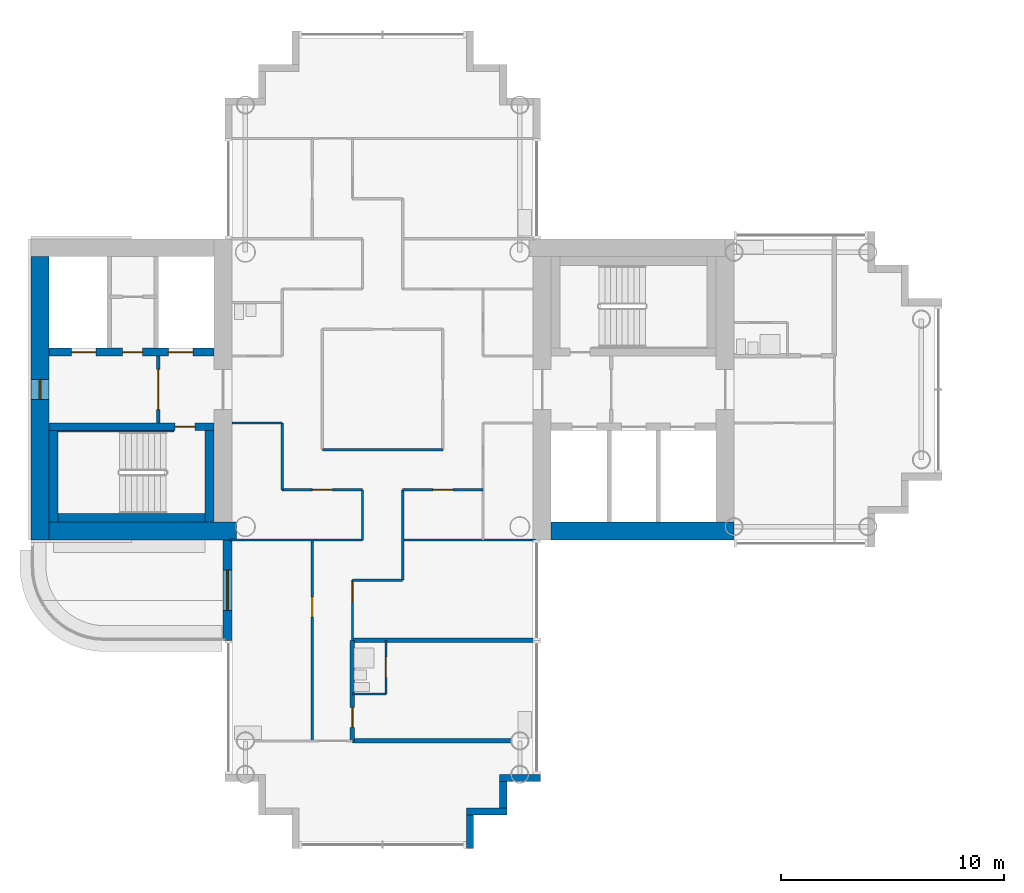
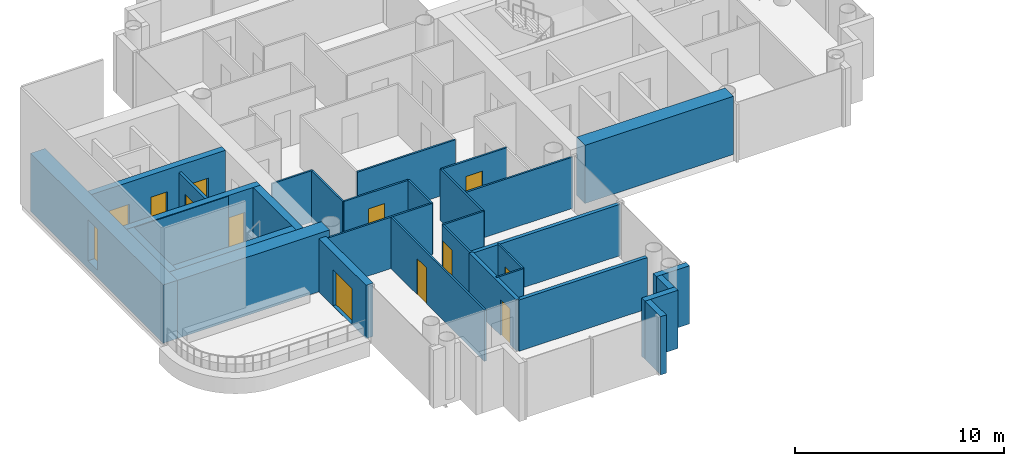
# One storey, part 7 of 20: 32 walls, 12 doors, 1 window, 13 openings.
"""IFC4 building model written with IfcOpenShell, lengths in metres."""

from ifc_helpers import new_model, si_unit, direction, frame, frame_2d, origin, place, context, subcontext, project, spatial, rectangle, extrude, material, layer, layer_set, type_object, element, fill, save


model = new_model("IFC4")

# Units and contexts
model_context = context("Model", 3, precision=1e-05, world=origin(), true_north=direction((0.0, 1.0)))
body_context = subcontext(model_context, "Body", "Model", "MODEL_VIEW")
ifc_project = project(units=[si_unit("LENGTHUNIT", "METRE"), si_unit("AREAUNIT", "SQUARE_METRE"), si_unit("VOLUMEUNIT", "CUBIC_METRE"), si_unit("PLANEANGLEUNIT", "RADIAN"), si_unit("MASSUNIT", "GRAM", prefix="KILO")], contexts=[model_context])

# Site, building, storey
site_placement = place(None, origin())
site = spatial("IfcSite", under=ifc_project, at=site_placement, CompositionType="ELEMENT")
building_placement = place(site_placement, origin())
building = spatial("IfcBuilding", under=site, at=building_placement, Name="Ipe Terrace Towers", CompositionType="ELEMENT")
storey_placement = place(building_placement, frame((0.0, 0.0, 160.89990234375)))
storey = spatial("IfcBuildingStorey", under=building, at=storey_placement, Name="L44", CompositionType="ELEMENT", Elevation=160.89990234375)

# Wall, opening, door
ifc_material_1 = material(Name="Concrete C40/50 with buff precast cladding", Category="concrete")
ifc_layer_1 = layer(ifc_material_1, 0.39990234375)
ifc_layer_set_1 = layer_set([ifc_layer_1], Name="BALCONY BAY WALL 400")
wall_type_1 = type_object("IfcWallType", Name="BALCONY BAY WALL 400", PredefinedType="STANDARD", material=ifc_layer_set_1)
wall_1_placement = place(storey_placement, frame((-42.949951171875, -6.75, -0.02001953125), z_axis=(0.0, 0.0, 1.0), x_axis=(0.0, -1.0, 0.0)))
wall_1 = element("IfcWall", 1, at=wall_1_placement, inside=storey, type_object=wall_type_1, Name="T1-W-L44-02a wall", PredefinedType="STANDARD", context=body_context, shape_type="SweptSolid", body=[
    extrude(rectangle(XDim=4.5, YDim=0.39990234375, at=frame_2d((2.25, 0.0))), origin(), (0.0, 0.0, 1.0), 3.1201171875),
])
opening_1_placement = place(wall_1_placement, frame((1.35009765625, 0.0, 0.02001953125)))
opening_1 = element("IfcOpeningElement", 2, at=opening_1_placement, cuts=wall_1, Name="Opening T1-D-L44-02", PredefinedType="OPENING", context=body_context, shape_type="SweptSolid", body=[
    extrude(rectangle(XDim=1.800048828125, YDim=2.10009765625, at=frame_2d((0.89990234375, 1.050048828125))), frame((0.0, 0.2099609375, 0.0), z_axis=(0.0, -1.0, 0.0), x_axis=(1.0, 0.0, 0.0)), (0.0, 0.0, 1.0), 0.419921875),
])
ifc_material_2 = material(Name="Aluminium alloy 6063-T6 framed glazed door", Category="aluminium")
door_type_1 = type_object("IfcDoorType", Name="BALCONY DOOR 1800 x 2100 LEFT", OperationType="SINGLE_SWING_LEFT", PredefinedType="DOOR", material=ifc_material_2)
door_1_placement = place(opening_1_placement, origin())
door_1 = element("IfcDoor", 3, at=door_1_placement, inside=storey, type_object=door_type_1, Name="DB1 door", OperationType="SINGLE_SWING_LEFT", OverallHeight=2.10009765625, OverallWidth=1.800048828125, PredefinedType="DOOR", context=body_context, shape_type="SweptSolid", body=[
    extrude(rectangle(XDim=1.800048828125, YDim=2.10009765625, at=frame_2d((0.89990234375, 1.050048828125))), frame((0.0, 0.02490234375, 0.0), z_axis=(0.0, -1.0, 0.0), x_axis=(1.0, 0.0, 0.0)), (0.0, 0.0, 1.0), 0.050048828125),
])
fill(opening_1, door_1)

# Walls
ifc_material_3 = material(Name="Concrete C40/50 with buff precast cladding", Category="concrete")
ifc_layer_2 = layer(ifc_material_3, 0.320068359375)
ifc_layer_set_2 = layer_set([ifc_layer_2], Name="BUFF CLADDING WALL 320")
wall_type_2 = type_object("IfcWallType", Name="BUFF CLADDING WALL 320", PredefinedType="STANDARD", material=ifc_layer_set_2)
wall_2_placement = place(storey_placement, frame((-32.090087890625, -20.570068359375, -0.2998046875), z_axis=(0.0, 0.0, 1.0), x_axis=(0.0, 1.0, 0.0)))
element("IfcWall", 4, at=wall_2_placement, inside=storey, type_object=wall_type_2, Name="T1-W-L44-09a wall", PredefinedType="STANDARD", context=body_context, shape_type="SweptSolid", body=[
    extrude(rectangle(XDim=1.5, YDim=0.320068359375, at=frame_2d((0.75, 0.0))), origin(), (0.0, 0.0, 1.0), 3.39990234375),
])
wall_3_placement = place(storey_placement, frame((-32.25, -18.909912109375, -0.2998046875), z_axis=(0.0, 0.0, 1.0), x_axis=(1.0, 0.0, 0.0)))
element("IfcWall", 5, at=wall_3_placement, inside=storey, type_object=wall_type_2, Name="T1-W-L44-10a wall", PredefinedType="STANDARD", context=body_context, shape_type="SweptSolid", body=[
    extrude(rectangle(XDim=1.820068359375, YDim=0.320068359375, at=frame_2d((0.91015625, 0.0))), origin(), (0.0, 0.0, 1.0), 3.39990234375),
])
wall_4_placement = place(storey_placement, frame((-30.590087890625, -18.75, -0.2998046875), z_axis=(0.0, 0.0, 1.0), x_axis=(0.0, 1.0, 0.0)))
element("IfcWall", 6, at=wall_4_placement, inside=storey, type_object=wall_type_2, Name="T1-W-L44-11a wall", PredefinedType="STANDARD", context=body_context, shape_type="SweptSolid", body=[
    extrude(rectangle(XDim=1.179931640625, YDim=0.320068359375, at=frame_2d((0.58984375, 0.0))), origin(), (0.0, 0.0, 1.0), 3.39990234375),
])
wall_5_placement = place(storey_placement, frame((-30.75, -17.409912109375, -0.2998046875), z_axis=(0.0, 0.0, 1.0), x_axis=(1.0, 0.0, 0.0)))
element("IfcWall", 7, at=wall_5_placement, inside=storey, type_object=wall_type_2, Name="T1-W-L44-12a wall", PredefinedType="STANDARD", context=body_context, shape_type="SweptSolid", body=[
    extrude(rectangle(XDim=1.820068359375, YDim=0.320068359375, at=frame_2d((0.91015625, 0.0))), origin(), (0.0, 0.0, 1.0), 3.39990234375),
])
ifc_material_4 = material(Name="Gypsum board partition", Category="plasterboard")
ifc_layer_3 = layer(ifc_material_4, 0.10009765625)
ifc_layer_set_3 = layer_set([ifc_layer_3], Name="Gypsum board partition 100 mm")
wall_type_3 = type_object("IfcWallType", Name="Gypsum board partition 100 mm", PredefinedType="PARTITIONING", material=ifc_layer_set_3)
wall_6_placement = place(storey_placement, frame((-40.5, -4.5, 0.0), z_axis=(0.0, 0.0, 1.0), x_axis=(0.0, 1.0, 0.0)))
element("IfcWall", 8, at=wall_6_placement, inside=storey, type_object=wall_type_3, Name="Gypsum board partition T1 L44 W01", PredefinedType="PARTITIONING", context=body_context, shape_type="SweptSolid", body=[
    extrude(rectangle(XDim=3.0, YDim=0.10009765625, at=frame_2d((1.5, 0.0))), origin(), (0.0, 0.0, 1.0), 3.0),
])

# Wall, opening, door
wall_7_placement = place(storey_placement, frame((-39.14990234375, -15.75, 0.0), z_axis=(0.0, 0.0, 1.0), x_axis=(0.0, 1.0, 0.0)))
wall_7 = element("IfcWall", 9, at=wall_7_placement, inside=storey, type_object=wall_type_3, Name="Gypsum board partition T1 L44 W03", PredefinedType="PARTITIONING", context=body_context, shape_type="SweptSolid", body=[
    extrude(rectangle(XDim=9.0, YDim=0.10009765625, at=frame_2d((4.5, 0.0))), origin(), (0.0, 0.0, 1.0), 3.0),
])
opening_2_placement = place(wall_7_placement, frame((5.550048828125, 0.0, 0.0)))
opening_2 = element("IfcOpeningElement", 10, at=opening_2_placement, cuts=wall_7, Name="Opening T1-Z3C-16", PredefinedType="OPENING", context=body_context, shape_type="SweptSolid", body=[
    extrude(rectangle(XDim=0.89990234375, YDim=2.10009765625, at=frame_2d((0.449951171875, 1.050048828125))), frame((0.0, 0.06005859375, 0.0), z_axis=(0.0, -1.0, 0.0), x_axis=(1.0, 0.0, 0.0)), (0.0, 0.0, 1.0), 0.1201171875),
])
ifc_material_5 = material(Name="Timber door leaf", Category="wood")
door_type_2 = type_object("IfcDoorType", Name="Lounge door 900 x 2100", OperationType="NOTDEFINED", PredefinedType="DOOR", material=ifc_material_5)
door_2_placement = place(opening_2_placement, origin())
door_2 = element("IfcDoor", 11, at=door_2_placement, inside=storey, type_object=door_type_2, Name="Lounge door T1-Z3C-16", OperationType="SINGLE_SWING_LEFT", OverallHeight=2.10009765625, OverallWidth=0.89990234375, PredefinedType="DOOR", context=body_context, shape_type="SweptSolid", body=[
    extrude(rectangle(XDim=0.89990234375, YDim=2.10009765625, at=frame_2d((0.449951171875, 1.050048828125))), frame((0.0, 0.02490234375, 0.0), z_axis=(0.0, -1.0, 0.0), x_axis=(1.0, 0.0, 0.0)), (0.0, 0.0, 1.0), 0.050048828125),
])
fill(opening_2, door_2)

wall_8_placement = place(storey_placement, frame((-37.35009765625, -11.25, 0.0), z_axis=(0.0, 0.0, 1.0), x_axis=(0.0, 1.0, 0.0)))
wall_8 = element("IfcWall", 12, at=wall_8_placement, inside=storey, type_object=wall_type_3, Name="Gypsum board partition T1 L44 W06", PredefinedType="PARTITIONING", context=body_context, shape_type="SweptSolid", body=[
    extrude(rectangle(XDim=2.699951171875, YDim=0.10009765625, at=frame_2d((1.35009765625, 0.0))), origin(), (0.0, 0.0, 1.0), 3.0),
])
opening_3_placement = place(wall_8_placement, frame((1.72998046875, 0.0, 0.0)))
opening_3 = element("IfcOpeningElement", 13, at=opening_3_placement, cuts=wall_8, Name="Opening T1-Z3C-13", PredefinedType="OPENING", context=body_context, shape_type="SweptSolid", body=[
    extrude(rectangle(XDim=0.89990234375, YDim=2.10009765625, at=frame_2d((0.449951171875, 1.050048828125))), frame((0.0, 0.06005859375, 0.0), z_axis=(0.0, -1.0, 0.0), x_axis=(1.0, 0.0, 0.0)), (0.0, 0.0, 1.0), 0.1201171875),
])
door_3_placement = place(opening_3_placement, origin())
door_3 = element("IfcDoor", 14, at=door_3_placement, inside=storey, type_object=door_type_2, Name="Lounge door T1-Z3C-13", OperationType="SINGLE_SWING_RIGHT", OverallHeight=2.10009765625, OverallWidth=0.89990234375, PredefinedType="DOOR", context=body_context, shape_type="SweptSolid", body=[
    extrude(rectangle(XDim=0.89990234375, YDim=2.10009765625, at=frame_2d((0.449951171875, 1.050048828125))), frame((0.0, 0.02490234375, 0.0), z_axis=(0.0, -1.0, 0.0), x_axis=(1.0, 0.0, 0.0)), (0.0, 0.0, 1.0), 0.050048828125),
])
fill(opening_3, door_3)

# Wall
wall_9_placement = place(storey_placement, frame((-36.89990234375, -6.75, 0.0), z_axis=(0.0, 0.0, 1.0), x_axis=(0.0, 1.0, 0.0)))
element("IfcWall", 15, at=wall_9_placement, inside=storey, type_object=wall_type_3, Name="Gypsum board partition T1 L44 W09", PredefinedType="PARTITIONING", context=body_context, shape_type="SweptSolid", body=[
    extrude(rectangle(XDim=2.25, YDim=0.10009765625, at=frame_2d((1.125, 0.0))), origin(), (0.0, 0.0, 1.0), 3.0),
])

# Wall, opening, door
wall_10_placement = place(storey_placement, frame((-35.85009765625, -13.64990234375, 0.0), z_axis=(0.0, 0.0, 1.0), x_axis=(0.0, 1.0, 0.0)))
wall_10 = element("IfcWall", 16, at=wall_10_placement, inside=storey, type_object=wall_type_3, Name="Gypsum board partition T1 L44 W11", PredefinedType="PARTITIONING", context=body_context, shape_type="SweptSolid", body=[
    extrude(rectangle(XDim=2.39990234375, YDim=0.10009765625, at=frame_2d((1.199951171875, 0.0))), origin(), (0.0, 0.0, 1.0), 3.0),
])
opening_4_placement = place(wall_10_placement, frame((0.75, 0.0, 0.0)))
opening_4 = element("IfcOpeningElement", 17, at=opening_4_placement, cuts=wall_10, Name="Opening T1-Z3C-15", PredefinedType="OPENING", context=body_context, shape_type="SweptSolid", body=[
    extrude(rectangle(XDim=0.89990234375, YDim=2.10009765625, at=frame_2d((0.449951171875, 1.050048828125))), frame((0.0, 0.06005859375, 0.0), z_axis=(0.0, -1.0, 0.0), x_axis=(1.0, 0.0, 0.0)), (0.0, 0.0, 1.0), 0.1201171875),
])
ifc_material_6 = material(Name="Timber door leaf", Category="wood")
door_type_3 = type_object("IfcDoorType", Name="Bathroom door 900 x 2100", OperationType="NOTDEFINED", PredefinedType="DOOR", material=ifc_material_6)
door_4_placement = place(opening_4_placement, origin())
door_4 = element("IfcDoor", 18, at=door_4_placement, inside=storey, type_object=door_type_3, Name="Bathroom door T1-Z3C-15", OperationType="SINGLE_SWING_LEFT", OverallHeight=2.10009765625, OverallWidth=0.89990234375, PredefinedType="DOOR", context=body_context, shape_type="SweptSolid", body=[
    extrude(rectangle(XDim=0.89990234375, YDim=2.10009765625, at=frame_2d((0.449951171875, 1.050048828125))), frame((0.0, 0.02490234375, 0.0), z_axis=(0.0, -1.0, 0.0), x_axis=(1.0, 0.0, 0.0)), (0.0, 0.0, 1.0), 0.050048828125),
])
fill(opening_4, door_4)

# Walls
wall_11_placement = place(storey_placement, frame((-35.10009765625, -8.550048828125, 0.0), z_axis=(0.0, 0.0, 1.0), x_axis=(0.0, 1.0, 0.0)))
element("IfcWall", 19, at=wall_11_placement, inside=storey, type_object=wall_type_3, Name="Gypsum board partition T1 L44 W12", PredefinedType="PARTITIONING", context=body_context, shape_type="SweptSolid", body=[
    extrude(rectangle(XDim=4.050048828125, YDim=0.10009765625, at=frame_2d((2.02490234375, 0.0))), origin(), (0.0, 0.0, 1.0), 3.0),
])
wall_12_placement = place(storey_placement, frame((-37.35009765625, -13.64990234375, 0.0), z_axis=(0.0, 0.0, 1.0), x_axis=(1.0, 0.0, 0.0)))
element("IfcWall", 20, at=wall_12_placement, inside=storey, type_object=wall_type_3, Name="Gypsum board partition T1 L44 W22", PredefinedType="PARTITIONING", context=body_context, shape_type="SweptSolid", body=[
    extrude(rectangle(XDim=1.5, YDim=0.10009765625, at=frame_2d((0.75, 0.0))), origin(), (0.0, 0.0, 1.0), 3.0),
])
wall_13_placement = place(storey_placement, frame((-37.35009765625, -8.550048828125, 0.0), z_axis=(0.0, 0.0, 1.0), x_axis=(1.0, 0.0, 0.0)))
element("IfcWall", 21, at=wall_13_placement, inside=storey, type_object=wall_type_3, Name="Gypsum board partition T1 L44 W24", PredefinedType="PARTITIONING", context=body_context, shape_type="SweptSolid", body=[
    extrude(rectangle(XDim=2.25, YDim=0.10009765625, at=frame_2d((1.125, 0.0))), origin(), (0.0, 0.0, 1.0), 3.0),
])
for number, where, z_axis, x_axis, name in (
    (22, (-42.85009765625, -6.75, 0.0), (0.0, 0.0, 1.0), (1.0, 0.0, 0.0), "Gypsum board partition T1 L44 W25"),
    (23, (-35.10009765625, -6.75, 0.0), (0.0, 0.0, 1.0), (1.0, 0.0, 0.0), "Gypsum board partition T1 L44 W26"),
):
    element("IfcWall", number, at=place(storey_placement, frame(where, z_axis=z_axis, x_axis=x_axis)), inside=storey, type_object=wall_type_3, Name=name, PredefinedType="PARTITIONING", context=body_context, shape_type="SweptSolid", body=[
        extrude(rectangle(XDim=5.9501953125, YDim=0.10009765625, at=frame_2d((2.97509765625, 0.0))), origin(), (0.0, 0.0, 1.0), 3.0),
    ])

# Wall, opening, door
wall_14_placement = place(storey_placement, frame((-40.5, -4.5, 0.0), z_axis=(0.0, 0.0, 1.0), x_axis=(1.0, 0.0, 0.0)))
wall_14 = element("IfcWall", 24, at=wall_14_placement, inside=storey, type_object=wall_type_3, Name="Gypsum board partition T1 L44 W27", PredefinedType="PARTITIONING", context=body_context, shape_type="SweptSolid", body=[
    extrude(rectangle(XDim=3.60009765625, YDim=0.10009765625, at=frame_2d((1.800048828125, 0.0))), origin(), (0.0, 0.0, 1.0), 3.0),
])
opening_5_placement = place(wall_14_placement, frame((1.35009765625, 0.0, 0.0)))
opening_5 = element("IfcOpeningElement", 25, at=opening_5_placement, cuts=wall_14, Name="Opening T1-Z3C-07", PredefinedType="OPENING", context=body_context, shape_type="SweptSolid", body=[
    extrude(rectangle(XDim=0.89990234375, YDim=2.10009765625, at=frame_2d((0.449951171875, 1.050048828125))), frame((0.0, 0.06005859375, 0.0), z_axis=(0.0, -1.0, 0.0), x_axis=(1.0, 0.0, 0.0)), (0.0, 0.0, 1.0), 0.1201171875),
])
door_5_placement = place(opening_5_placement, origin())
door_5 = element("IfcDoor", 26, at=door_5_placement, inside=storey, type_object=door_type_2, Name="Lounge door T1-Z3C-07", OperationType="SINGLE_SWING_RIGHT", OverallHeight=2.10009765625, OverallWidth=0.89990234375, PredefinedType="DOOR", context=body_context, shape_type="SweptSolid", body=[
    extrude(rectangle(XDim=0.89990234375, YDim=2.10009765625, at=frame_2d((0.449951171875, 1.050048828125))), frame((0.0, 0.02490234375, 0.0), z_axis=(0.0, -1.0, 0.0), x_axis=(1.0, 0.0, 0.0)), (0.0, 0.0, 1.0), 0.050048828125),
])
fill(opening_5, door_5)

wall_15_placement = place(storey_placement, frame((-35.10009765625, -4.5, 0.0), z_axis=(0.0, 0.0, 1.0), x_axis=(1.0, 0.0, 0.0)))
wall_15 = element("IfcWall", 27, at=wall_15_placement, inside=storey, type_object=wall_type_3, Name="Gypsum board partition T1 L44 W28", PredefinedType="PARTITIONING", context=body_context, shape_type="SweptSolid", body=[
    extrude(rectangle(XDim=3.60009765625, YDim=0.10009765625, at=frame_2d((1.800048828125, 0.0))), origin(), (0.0, 0.0, 1.0), 3.0),
])
opening_6_placement = place(wall_15_placement, frame((1.35009765625, 0.0, 0.0)))
opening_6 = element("IfcOpeningElement", 28, at=opening_6_placement, cuts=wall_15, Name="Opening T1-Z3C-08", PredefinedType="OPENING", context=body_context, shape_type="SweptSolid", body=[
    extrude(rectangle(XDim=0.89990234375, YDim=2.10009765625, at=frame_2d((0.449951171875, 1.050048828125))), frame((0.0, 0.06005859375, 0.0), z_axis=(0.0, -1.0, 0.0), x_axis=(1.0, 0.0, 0.0)), (0.0, 0.0, 1.0), 0.1201171875),
])
door_6_placement = place(opening_6_placement, origin())
door_6 = element("IfcDoor", 29, at=door_6_placement, inside=storey, type_object=door_type_2, Name="Lounge door T1-Z3C-08", OperationType="SINGLE_SWING_RIGHT", OverallHeight=2.10009765625, OverallWidth=0.89990234375, PredefinedType="DOOR", context=body_context, shape_type="SweptSolid", body=[
    extrude(rectangle(XDim=0.89990234375, YDim=2.10009765625, at=frame_2d((0.449951171875, 1.050048828125))), frame((0.0, 0.02490234375, 0.0), z_axis=(0.0, -1.0, 0.0), x_axis=(1.0, 0.0, 0.0)), (0.0, 0.0, 1.0), 0.050048828125),
])
fill(opening_6, door_6)

# Walls
wall_16_placement = place(storey_placement, frame((-38.699951171875, -2.699951171875, 0.0), z_axis=(0.0, 0.0, 1.0), x_axis=(1.0, 0.0, 0.0)))
element("IfcWall", 30, at=wall_16_placement, inside=storey, type_object=wall_type_3, Name="Gypsum board partition T1 L44 W29", PredefinedType="PARTITIONING", context=body_context, shape_type="SweptSolid", body=[
    extrude(rectangle(XDim=5.39990234375, YDim=0.10009765625, at=frame_2d((2.699951171875, 0.0))), origin(), (0.0, 0.0, 1.0), 3.0),
])
wall_17_placement = place(storey_placement, frame((-42.75, -1.5, 0.0), z_axis=(0.0, 0.0, 1.0), x_axis=(1.0, 0.0, 0.0)))
element("IfcWall", 31, at=wall_17_placement, inside=storey, type_object=wall_type_3, Name="Gypsum board partition T1 L44 W30", PredefinedType="PARTITIONING", context=body_context, shape_type="SweptSolid", body=[
    extrude(rectangle(XDim=2.25, YDim=0.10009765625, at=frame_2d((1.125, 0.0))), origin(), (0.0, 0.0, 1.0), 3.0),
])

# Wall, opening, door
ifc_material_7 = material(Name="Gypsum board partition", Category="plasterboard")
ifc_layer_4 = layer(ifc_material_7, 0.14990234375)
ifc_layer_set_4 = layer_set([ifc_layer_4], Name="Gypsum board partition 150 mm")
wall_type_4 = type_object("IfcWallType", Name="Gypsum board partition 150 mm", PredefinedType="PARTITIONING", material=ifc_layer_set_4)
wall_18_placement = place(storey_placement, frame((-46.050048828125, 1.5, 0.0), z_axis=(0.0, 0.0, 1.0), x_axis=(0.0, -1.0, 0.0)))
wall_18 = element("IfcWall", 32, at=wall_18_placement, inside=storey, type_object=wall_type_4, Name="Gypsum board partition T1 L44 t1c2-lobby-wall", PredefinedType="PARTITIONING", context=body_context, shape_type="SweptSolid", body=[
    extrude(rectangle(XDim=3.0, YDim=0.14990234375, at=frame_2d((1.5, 0.0))), origin(), (0.0, 0.0, 1.0), 3.0),
])
opening_7_placement = place(wall_18_placement, frame((0.60009765625, 0.0, 0.0)))
opening_7 = element("IfcOpeningElement", 33, at=opening_7_placement, cuts=wall_18, Name="Opening T1C2-VD", PredefinedType="OPENING", context=body_context, shape_type="SweptSolid", body=[
    extrude(rectangle(XDim=1.800048828125, YDim=2.10009765625, at=frame_2d((0.89990234375, 1.050048828125))), frame((0.0, 0.0849609375, 0.0), z_axis=(0.0, -1.0, 0.0), x_axis=(1.0, 0.0, 0.0)), (0.0, 0.0, 1.0), 0.169921875),
])
ifc_material_8 = material(Name="Fire-rated timber door leaf", Category="wood")
door_type_4 = type_object("IfcDoorType", Name="Lobby door 1800 x 2100 FD60", OperationType="NOTDEFINED", PredefinedType="DOOR", material=ifc_material_8)
door_7_placement = place(opening_7_placement, origin())
door_7 = element("IfcDoor", 34, at=door_7_placement, inside=storey, type_object=door_type_4, Name="Lobby door T1C2-VD", OperationType="SINGLE_SWING_LEFT", OverallHeight=2.10009765625, OverallWidth=1.800048828125, PredefinedType="DOOR", context=body_context, shape_type="SweptSolid", body=[
    extrude(rectangle(XDim=1.800048828125, YDim=2.10009765625, at=frame_2d((0.89990234375, 1.050048828125))), frame((0.0, 0.02490234375, 0.0), z_axis=(0.0, -1.0, 0.0), x_axis=(1.0, 0.0, 0.0)), (0.0, 0.0, 1.0), 0.050048828125),
])
fill(opening_7, door_7)

ifc_material_9 = material(Name="Gypsum board party wall", Category="plasterboard")
ifc_layer_5 = layer(ifc_material_9, 0.199951171875)
ifc_layer_set_5 = layer_set([ifc_layer_5], Name="Gypsum board party wall 200 mm")
wall_type_5 = type_object("IfcWallType", Name="Gypsum board party wall 200 mm", PredefinedType="SOLIDWALL", material=ifc_layer_set_5)
wall_19_placement = place(storey_placement, frame((-37.35009765625, -15.75, 0.0), z_axis=(0.0, 0.0, 1.0), x_axis=(0.0, 1.0, 0.0)))
wall_19 = element("IfcWall", 35, at=wall_19_placement, inside=storey, type_object=wall_type_5, Name="Gypsum board party wall T1 L44 W08", PredefinedType="SOLIDWALL", context=body_context, shape_type="SweptSolid", body=[
    extrude(rectangle(XDim=4.5, YDim=0.199951171875, at=frame_2d((2.25, 0.0))), origin(), (0.0, 0.0, 1.0), 3.0),
])
opening_8_placement = place(wall_19_placement, frame((0.60009765625, 0.0, 0.0)))
opening_8 = element("IfcOpeningElement", 36, at=opening_8_placement, cuts=wall_19, Name="Opening T1-Z3C-14", PredefinedType="OPENING", context=body_context, shape_type="SweptSolid", body=[
    extrude(rectangle(XDim=0.89990234375, YDim=2.10009765625, at=frame_2d((0.449951171875, 1.050048828125))), frame((0.0, 0.10986328125, 0.0), z_axis=(0.0, -1.0, 0.0), x_axis=(1.0, 0.0, 0.0)), (0.0, 0.0, 1.0), 0.219970703125),
])
ifc_material_10 = material(Name="Fire-rated timber door leaf", Category="wood")
door_type_5 = type_object("IfcDoorType", Name="Flat entrance door 900 x 2100 FD30S", OperationType="NOTDEFINED", PredefinedType="DOOR", material=ifc_material_10)
door_8_placement = place(opening_8_placement, origin())
door_8 = element("IfcDoor", 37, at=door_8_placement, inside=storey, type_object=door_type_5, Name="Flat entrance door T1-Z3C-14", OperationType="SINGLE_SWING_LEFT", OverallHeight=2.10009765625, OverallWidth=0.89990234375, PredefinedType="DOOR", context=body_context, shape_type="SweptSolid", body=[
    extrude(rectangle(XDim=0.89990234375, YDim=2.10009765625, at=frame_2d((0.449951171875, 1.050048828125))), frame((0.0, 0.02490234375, 0.0), z_axis=(0.0, -1.0, 0.0), x_axis=(1.0, 0.0, 0.0)), (0.0, 0.0, 1.0), 0.050048828125),
])
fill(opening_8, door_8)

# Walls
wall_20_placement = place(storey_placement, frame((-37.35009765625, -15.75, 0.0), z_axis=(0.0, 0.0, 1.0), x_axis=(1.0, 0.0, 0.0)))
element("IfcWall", 38, at=wall_20_placement, inside=storey, type_object=wall_type_5, Name="Gypsum board party wall T1 L44 W21", PredefinedType="SOLIDWALL", context=body_context, shape_type="SweptSolid", body=[
    extrude(rectangle(XDim=7.10009765625, YDim=0.199951171875, at=frame_2d((3.550048828125, 0.0))), origin(), (0.0, 0.0, 1.0), 3.0),
])
wall_21_placement = place(storey_placement, frame((-37.35009765625, -11.25, 0.0), z_axis=(0.0, 0.0, 1.0), x_axis=(1.0, 0.0, 0.0)))
element("IfcWall", 39, at=wall_21_placement, inside=storey, type_object=wall_type_5, Name="Gypsum board party wall T1 L44 W23", PredefinedType="SOLIDWALL", context=body_context, shape_type="SweptSolid", body=[
    extrude(rectangle(XDim=8.2001953125, YDim=0.199951171875, at=frame_2d((4.10009765625, 0.0))), origin(), (0.0, 0.0, 1.0), 3.0),
])

# Wall, opening, door
ifc_material_11 = material(Name="Concrete C50/60", Category="concrete")
ifc_layer_6 = layer(ifc_material_11, 0.35009765625)
ifc_layer_set_6 = layer_set([ifc_layer_6], Name="RW350 CORE SPINE WALL 350 C50-60")
wall_type_6 = type_object("IfcWallType", Name="RW350 CORE SPINE WALL 350 C50-60", PredefinedType="SHEAR", material=ifc_layer_set_6)
wall_22_placement = place(storey_placement, frame((-50.949951171875, -1.675048828125, 0.0), z_axis=(0.0, 0.0, 1.0), x_axis=(1.0, 0.0, 0.0)))
wall_22 = element("IfcWall", 40, at=wall_22_placement, inside=storey, type_object=wall_type_6, Name="Core spine wall T1-C2-Z3-SW1", PredefinedType="SHEAR", context=body_context, shape_type="SweptSolid", body=[
    extrude(rectangle(XDim=7.39990234375, YDim=0.35009765625, at=frame_2d((3.699951171875, 0.0))), origin(), (0.0, 0.0, 1.0), 3.400146484375),
])
opening_9_placement = place(wall_22_placement, frame((5.64990234375, 0.0, 0.0)))
opening_9 = element("IfcOpeningElement", 41, at=opening_9_placement, cuts=wall_22, Name="Opening T1C2-SD", PredefinedType="OPENING", context=body_context, shape_type="SweptSolid", body=[
    extrude(rectangle(XDim=0.89990234375, YDim=2.10009765625, at=frame_2d((0.449951171875, 1.050048828125))), frame((0.0, 0.18505859375, 0.0), z_axis=(0.0, -1.0, 0.0), x_axis=(1.0, 0.0, 0.0)), (0.0, 0.0, 1.0), 0.3701171875),
])
ifc_material_12 = material(Name="Fire-rated timber door leaf", Category="wood")
door_type_6 = type_object("IfcDoorType", Name="Stair door 900 x 2100 FD60", OperationType="NOTDEFINED", PredefinedType="DOOR", material=ifc_material_12)
door_9_placement = place(opening_9_placement, origin())
door_9 = element("IfcDoor", 42, at=door_9_placement, inside=storey, type_object=door_type_6, Name="Stair door T1C2-SD", OperationType="SINGLE_SWING_RIGHT", OverallHeight=2.10009765625, OverallWidth=0.89990234375, PredefinedType="DOOR", context=body_context, shape_type="SweptSolid", body=[
    extrude(rectangle(XDim=0.89990234375, YDim=2.10009765625, at=frame_2d((0.449951171875, 1.050048828125))), frame((0.0, 0.02490234375, 0.0), z_axis=(0.0, -1.0, 0.0), x_axis=(1.0, 0.0, 0.0)), (0.0, 0.0, 1.0), 0.050048828125),
])
fill(opening_9, door_9)

# Wall, openings, doors
wall_23_placement = place(storey_placement, frame((-50.949951171875, 1.675048828125, 0.0), z_axis=(0.0, 0.0, 1.0), x_axis=(1.0, 0.0, 0.0)))
wall_23 = element("IfcWall", 43, at=wall_23_placement, inside=storey, type_object=wall_type_6, Name="Core spine wall T1-C2-Z3-SW2", PredefinedType="SHEAR", context=body_context, shape_type="SweptSolid", body=[
    extrude(rectangle(XDim=7.39990234375, YDim=0.35009765625, at=frame_2d((3.699951171875, 0.0))), origin(), (0.0, 0.0, 1.0), 3.400146484375),
])
opening_10_placement = place(wall_23_placement, frame((5.35009765625, 0.0, 0.0)))
opening_10 = element("IfcOpeningElement", 44, at=opening_10_placement, cuts=wall_23, Name="Opening T1C2-LD1", PredefinedType="OPENING", context=body_context, shape_type="SweptSolid", body=[
    extrude(rectangle(XDim=1.10009765625, YDim=2.10009765625, at=frame_2d((0.550048828125, 1.050048828125))), frame((0.0, 0.18505859375, 0.0), z_axis=(0.0, -1.0, 0.0), x_axis=(1.0, 0.0, 0.0)), (0.0, 0.0, 1.0), 0.3701171875),
])
opening_11_placement = place(wall_23_placement, frame((1.0, 0.0, 0.0)))
opening_11 = element("IfcOpeningElement", 45, at=opening_11_placement, cuts=wall_23, Name="Opening T1C2-LD3", PredefinedType="OPENING", context=body_context, shape_type="SweptSolid", body=[
    extrude(rectangle(XDim=1.10009765625, YDim=2.10009765625, at=frame_2d((0.550048828125, 1.050048828125))), frame((0.0, 0.18505859375, 0.0), z_axis=(0.0, -1.0, 0.0), x_axis=(1.0, 0.0, 0.0)), (0.0, 0.0, 1.0), 0.3701171875),
])
opening_12_placement = place(wall_23_placement, frame((3.300048828125, 0.0, 0.0)))
opening_12 = element("IfcOpeningElement", 46, at=opening_12_placement, cuts=wall_23, Name="Opening T1C2-R1-NR", PredefinedType="OPENING", context=body_context, shape_type="SweptSolid", body=[
    extrude(rectangle(XDim=0.89990234375, YDim=2.10009765625, at=frame_2d((0.449951171875, 1.050048828125))), frame((0.0, 0.18505859375, 0.0), z_axis=(0.0, -1.0, 0.0), x_axis=(1.0, 0.0, 0.0)), (0.0, 0.0, 1.0), 0.3701171875),
])
ifc_material_13 = material(Name="Fire-rated timber door leaf", Category="wood")
door_type_7 = type_object("IfcDoorType", Name="Sliding door 1100 x 2100 FD60", OperationType="SLIDING_TO_LEFT", PredefinedType="DOOR", material=ifc_material_13)
door_10_placement = place(opening_10_placement, origin())
door_10 = element("IfcDoor", 47, at=door_10_placement, inside=storey, type_object=door_type_7, Name="Sliding door T1C2-LD1", OperationType="SLIDING_TO_LEFT", OverallHeight=2.10009765625, OverallWidth=1.10009765625, PredefinedType="DOOR", context=body_context, shape_type="SweptSolid", body=[
    extrude(rectangle(XDim=1.10009765625, YDim=2.10009765625, at=frame_2d((0.550048828125, 1.050048828125))), frame((0.0, 0.02490234375, 0.0), z_axis=(0.0, -1.0, 0.0), x_axis=(1.0, 0.0, 0.0)), (0.0, 0.0, 1.0), 0.050048828125),
])
fill(opening_10, door_10)
door_11_placement = place(opening_11_placement, origin())
door_11 = element("IfcDoor", 48, at=door_11_placement, inside=storey, type_object=door_type_7, Name="Sliding door T1C2-LD3", OperationType="SLIDING_TO_LEFT", OverallHeight=2.10009765625, OverallWidth=1.10009765625, PredefinedType="DOOR", context=body_context, shape_type="SweptSolid", body=[
    extrude(rectangle(XDim=1.10009765625, YDim=2.10009765625, at=frame_2d((0.550048828125, 1.050048828125))), frame((0.0, 0.02490234375, 0.0), z_axis=(0.0, -1.0, 0.0), x_axis=(1.0, 0.0, 0.0)), (0.0, 0.0, 1.0), 0.050048828125),
])
fill(opening_11, door_11)
ifc_material_14 = material(Name="Timber door leaf", Category="wood")
door_type_8 = type_object("IfcDoorType", Name="Store door 900 x 2100", OperationType="NOTDEFINED", PredefinedType="DOOR", material=ifc_material_14)
door_12_placement = place(opening_12_placement, origin())
door_12 = element("IfcDoor", 49, at=door_12_placement, inside=storey, type_object=door_type_8, Name="Store door T1C2-R1-NR", OperationType="SINGLE_SWING_LEFT", OverallHeight=2.10009765625, OverallWidth=0.89990234375, PredefinedType="DOOR", context=body_context, shape_type="SweptSolid", body=[
    extrude(rectangle(XDim=0.89990234375, YDim=2.10009765625, at=frame_2d((0.449951171875, 1.050048828125))), frame((0.0, 0.02490234375, 0.0), z_axis=(0.0, -1.0, 0.0), x_axis=(1.0, 0.0, 0.0)), (0.0, 0.0, 1.0), 0.050048828125),
])
fill(opening_12, door_12)

# Walls
ifc_material_15 = material(Name="Concrete C50/60", Category="concrete")
ifc_layer_7 = layer(ifc_material_15, 0.39990234375)
ifc_layer_set_7 = layer_set([ifc_layer_7], Name="RW400 CORE INFILL WALL 400 C50-60")
wall_type_7 = type_object("IfcWallType", Name="RW400 CORE INFILL WALL 400 C50-60", PredefinedType="SHEAR", material=ifc_layer_set_7)
wall_24_placement = place(storey_placement, frame((-50.75, -1.85009765625, 0.0), z_axis=(0.0, 0.0, 1.0), x_axis=(0.0, -1.0, 0.0)))
element("IfcWall", 50, at=wall_24_placement, inside=storey, type_object=wall_type_7, Name="Core infill wall T1-C2-far", PredefinedType="SHEAR", context=body_context, shape_type="SweptSolid", body=[
    extrude(rectangle(XDim=4.099853515625, YDim=0.39990234375, at=frame_2d((2.0498046875, 0.0))), origin(), (0.0, 0.0, 1.0), 3.400146484375),
])
wall_25_placement = place(storey_placement, frame((-43.949951171875, -5.75, 0.0), z_axis=(0.0, 0.0, 1.0), x_axis=(-1.0, 0.0, 0.0)))
element("IfcWall", 51, at=wall_25_placement, inside=storey, type_object=wall_type_7, Name="Core infill wall T1-C2-back", PredefinedType="SHEAR", context=body_context, shape_type="SweptSolid", body=[
    extrude(rectangle(XDim=6.60009765625, YDim=0.39990234375, at=frame_2d((3.300048828125, 0.0))), origin(), (0.0, 0.0, 1.0), 3.400146484375),
])
wall_26_placement = place(storey_placement, frame((-43.75, -1.85009765625, 0.0), z_axis=(0.0, 0.0, 1.0), x_axis=(0.0, -1.0, 0.0)))
element("IfcWall", 52, at=wall_26_placement, inside=storey, type_object=wall_type_7, Name="Core infill wall T1-C2-near", PredefinedType="SHEAR", context=body_context, shape_type="SweptSolid", body=[
    extrude(rectangle(XDim=4.099853515625, YDim=0.39990234375, at=frame_2d((2.0498046875, 0.0))), origin(), (0.0, 0.0, 1.0), 3.400146484375),
])
ifc_material_16 = material(Name="Concrete C50/60", Category="concrete")
ifc_layer_8 = layer(ifc_material_16, 0.050048828125)
ifc_layer_set_8 = layer_set([ifc_layer_8], Name="RW50 CORE INFILL WALL 50 C50-60")
wall_type_8 = type_object("IfcWallType", Name="RW50 CORE INFILL WALL 50 C50-60", PredefinedType="SHEAR", material=ifc_layer_set_8)
wall_27_placement = place(storey_placement, frame((-45.35009765625, -1.875, 0.0), z_axis=(0.0, 0.0, 1.0), x_axis=(-1.0, 0.0, 0.0)))
element("IfcWall", 53, at=wall_27_placement, inside=storey, type_object=wall_type_8, Name="Core infill wall T1-C2-spine-b", PredefinedType="SHEAR", context=body_context, shape_type="SweptSolid", body=[
    extrude(rectangle(XDim=5.199951171875, YDim=0.050048828125, at=frame_2d((2.60009765625, 0.0))), origin(), (0.0, 0.0, 1.0), 3.400146484375),
])
ifc_material_17 = material(Name="Concrete C50/60", Category="concrete")
ifc_layer_9 = layer(ifc_material_17, 0.800048828125)
ifc_layer_set_9 = layer_set([ifc_layer_9], Name="RW800 CORE WALL 800 C50-60")
wall_type_9 = type_object("IfcWallType", Name="RW800 CORE WALL 800 C50-60", PredefinedType="SHEAR", material=ifc_layer_set_9)
wall_28_placement = place(storey_placement, frame((-28.449951171875, -6.35009765625, 0.0), z_axis=(0.0, 0.0, 1.0), x_axis=(1.0, 0.0, 0.0)))
element("IfcWall", 54, at=wall_28_placement, inside=storey, type_object=wall_type_9, Name="Core wall T1-C1-Z3-W01", PredefinedType="SHEAR", context=body_context, shape_type="SweptSolid", body=[
    extrude(rectangle(XDim=8.199951171875, YDim=0.800048828125, at=frame_2d((4.10009765625, 0.0))), origin(), (0.0, 0.0, 1.0), 3.400146484375),
])
wall_29_placement = place(storey_placement, frame((-50.949951171875, -6.35009765625, 0.0), z_axis=(0.0, 0.0, 1.0), x_axis=(1.0, 0.0, 0.0)))
element("IfcWall", 55, at=wall_29_placement, inside=storey, type_object=wall_type_9, Name="Core wall T1-C2-Z3-W01", PredefinedType="SHEAR", context=body_context, shape_type="SweptSolid", body=[
    extrude(rectangle(XDim=8.39794921875, YDim=0.800048828125, at=frame_2d((4.198974609375, 0.0))), origin(), (0.0, 0.0, 1.0), 3.400146484375),
])

# Wall, opening, window
wall_30_placement = place(storey_placement, frame((-51.35009765625, 5.949951171875, 0.0), z_axis=(0.0, 0.0, 1.0), x_axis=(0.0, -1.0, 0.0)))
wall_30 = element("IfcWall", 56, at=wall_30_placement, inside=storey, type_object=wall_type_9, Name="Core wall T1-C2-Z3-W04", PredefinedType="SHEAR", context=body_context, shape_type="SweptSolid", body=[
    extrude(rectangle(XDim=12.699951171875, YDim=0.800048828125, at=frame_2d((6.35009765625, 0.0))), origin(), (0.0, 0.0, 1.0), 3.400146484375),
])
opening_13_placement = place(wall_30_placement, frame((5.5, 0.0, 0.449951171875)))
opening_13 = element("IfcOpeningElement", 57, at=opening_13_placement, cuts=wall_30, Name="Opening T1-C2-W-01-L44", PredefinedType="OPENING", context=body_context, shape_type="SweptSolid", body=[
    extrude(rectangle(XDim=0.89990234375, YDim=2.39990234375, at=frame_2d((0.449951171875, 1.199951171875))), frame((0.0, 0.41015625, 0.0), z_axis=(0.0, -1.0, 0.0), x_axis=(1.0, 0.0, 0.0)), (0.0, 0.0, 1.0), 0.820068359375),
])
ifc_material_18 = material(Name="Fire-resistant glazing EI 60", Category="glass")
window_type = type_object("IfcWindowType", Name="CORRIDOR END SLOT WINDOW 900 x 2400 EI 60", PartitioningType="SINGLE_PANEL", PredefinedType="WINDOW", material=ifc_material_18)
window_placement = place(opening_13_placement, origin())
window = element("IfcWindow", 58, at=window_placement, inside=storey, type_object=window_type, Name="W-01 window", OverallHeight=2.39990234375, OverallWidth=0.89990234375, PartitioningType="SINGLE_PANEL", PredefinedType="WINDOW", context=body_context, shape_type="SweptSolid", body=[
    extrude(rectangle(XDim=0.89990234375, YDim=2.39990234375, at=frame_2d((0.449951171875, 1.199951171875))), frame((0.0, 0.030029296875, 0.0), z_axis=(0.0, -1.0, 0.0), x_axis=(1.0, 0.0, 0.0)), (0.0, 0.0, 1.0), 0.06005859375),
])
fill(opening_13, window)

save(model, "model.ifc")
